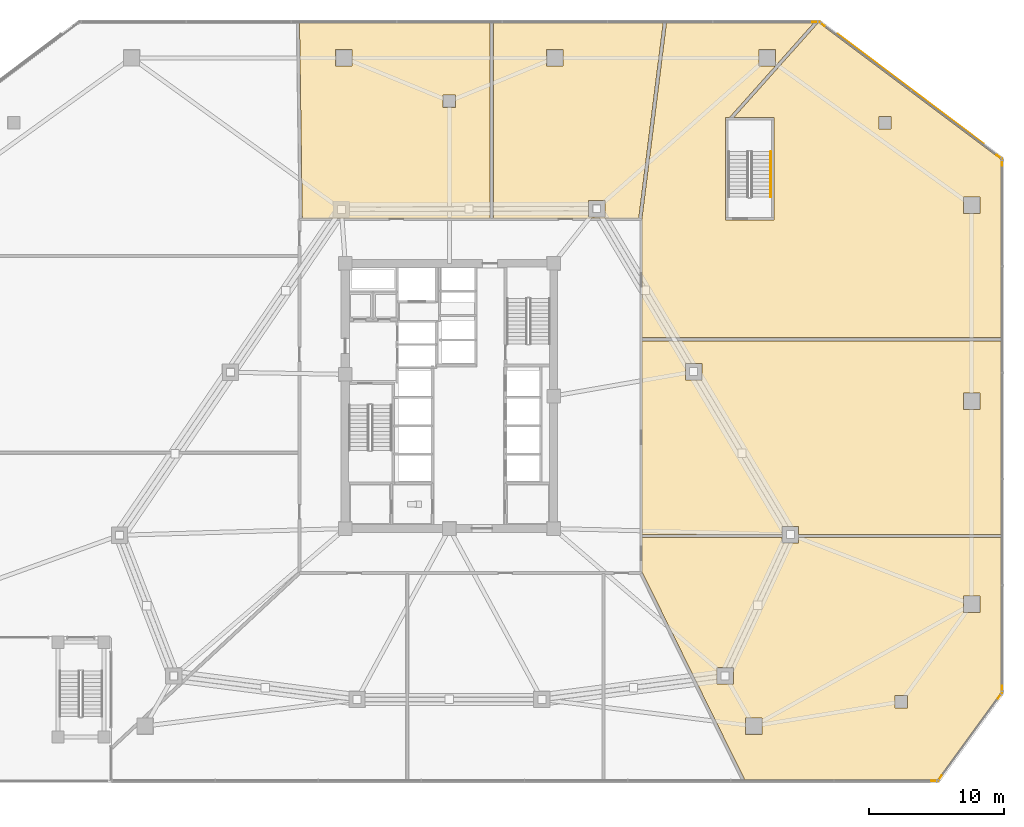
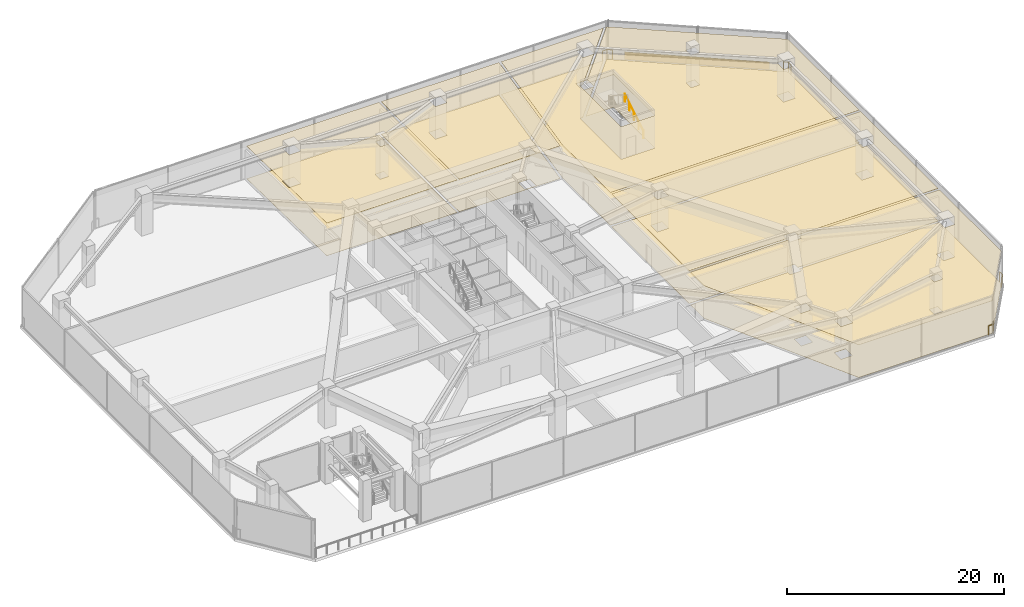
# One storey, part 22 of 23: 11 coverings, 5 railings.
"""IFC4 building model written with IfcOpenShell, lengths in metres."""

from ifc_helpers import new_model, si_unit, direction, frame, origin, origin_2d, place, context, subcontext, project, spatial, polyline, rectangle, circle, outline, extrude, material, layer, layer_set, type_object, element, save


model = new_model("IFC4")

# Units and contexts
model_context = context("Model", 3, precision=1e-05, world=origin(), true_north=direction((0.0, 1.0)))
body_context = subcontext(model_context, "Body", "Model", "MODEL_VIEW")
ifc_project = project(units=[si_unit("LENGTHUNIT", "METRE"), si_unit("AREAUNIT", "SQUARE_METRE"), si_unit("VOLUMEUNIT", "CUBIC_METRE"), si_unit("PLANEANGLEUNIT", "RADIAN"), si_unit("MASSUNIT", "GRAM", prefix="KILO")], contexts=[model_context])

# Site, building, storey
site_placement = place(None, origin())
site = spatial("IfcSite", under=ifc_project, at=site_placement, CompositionType="ELEMENT")
building_placement = place(site_placement, origin())
building = spatial("IfcBuilding", under=site, at=building_placement, Name="Savorim Split Tower", CompositionType="ELEMENT")
storey_placement = place(building_placement, frame((0.0, 0.0, 21.800048828125)))
storey = spatial("IfcBuildingStorey", under=building, at=storey_placement, Name="L05", CompositionType="ELEMENT", Elevation=21.800048828125)

# Coverings
ifc_material_1 = material(Name="Mineral Fibre Acoustic Ceiling")
ifc_layer_1 = layer(ifc_material_1, 0.02490234375)
ifc_layer_set_1 = layer_set([ifc_layer_1], Name="COV-CEIL-25")
covering_type_1 = type_object("IfcCoveringType", Name="COV-CEIL-25", PredefinedType="CEILING", material=ifc_layer_set_1)
covering_1_placement = place(storey_placement, frame((0.0, 0.0, 3.669921875)))
element("IfcCovering", 1, at=covering_1_placement, inside=storey, type_object=covering_type_1, Name="L05 HV Switchgear Plant Room Acoustic Ceiling", PredefinedType="CEILING", context=body_context, shape_type="SweptSolid", body=[
    extrude(outline(polyline([(21.8369140625, -27.97998046875), (36.087890625, -27.97998046875), (40.780029296875, -21.528564453125), (40.780029296875, -10.072998046875), (25.823486328125, -10.072998046875), (25.823486328125, -10.45556640625), (24.603515625, -10.45556640625), (24.603515625, -10.072998046875), (14.239990234375, -10.072998046875), (14.239990234375, -12.60009765625), (14.239990234375, -12.60205078125), (21.785888671875, -27.876708984375), (21.8369140625, -27.97998046875)]), holes=[polyline([(37.989990234375, -14.389892578125), (37.989990234375, -15.610107421875), (39.2099609375, -15.610107421875), (39.2099609375, -14.389892578125), (37.989990234375, -14.389892578125)]), polyline([(21.889892578125, -24.610107421875), (23.110107421875, -24.610107421875), (23.110107421875, -23.389892578125), (21.889892578125, -23.389892578125), (21.889892578125, -24.610107421875)]), polyline([(19.774169921875, -20.90185546875), (20.994140625, -20.90185546875), (20.994140625, -19.681884765625), (19.774169921875, -19.681884765625), (19.774169921875, -20.90185546875)]), polyline([(32.93994140625, -21.739990234375), (32.93994140625, -22.659912109375), (33.860107421875, -22.659912109375), (33.860107421875, -21.739990234375), (32.93994140625, -21.739990234375)])]), origin(), (0.0, 0.0, 1.0), 0.025146484375),
])
covering_2_placement = place(storey_placement, frame((0.0, 0.0, 3.669921875)))
element("IfcCovering", 2, at=covering_2_placement, inside=storey, type_object=covering_type_1, Name="L05 LV Electrical Plant Room Acoustic Ceiling", PredefinedType="CEILING", context=body_context, shape_type="SweptSolid", body=[
    extrude(outline(polyline([(25.823486328125, -9.8330078125), (40.72998046875, -9.8330078125), (40.780029296875, -9.8330078125), (40.780029296875, 4.472900390625), (14.239990234375, 4.472900390625), (14.239990234375, -9.8330078125), (24.603515625, -9.8330078125), (24.603515625, -9.235595703125), (25.823486328125, -9.235595703125), (25.823486328125, -9.8330078125)]), holes=[polyline([(37.989990234375, 0.610107421875), (37.989990234375, -0.610107421875), (39.2099609375, -0.610107421875), (39.2099609375, 0.610107421875), (37.989990234375, 0.610107421875)]), polyline([(18.659423828125, 2.8125), (17.439453125, 2.8125), (17.439453125, 1.592529296875), (18.659423828125, 1.592529296875), (18.659423828125, 2.8125)])]), origin(), (0.0, 0.0, 1.0), 0.025146484375),
])
covering_3_placement = place(storey_placement, frame((0.0, 0.0, 3.669921875)))
element("IfcCovering", 3, at=covering_3_placement, inside=storey, type_object=covering_type_1, Name="L05 Chiller Plant Room 2 Acoustic Ceiling", PredefinedType="CEILING", context=body_context, shape_type="SweptSolid", body=[
    extrude(outline(polyline([(24.110107421875, 26.010009765625), (24.110107421875, 24.814208984375), (26.93310546875, 27.97998046875), (16.04345703125, 27.97998046875), (14.23291015625, 13.524169921875), (14.22509765625, 13.462646484375), (14.229248046875, 13.45361328125), (14.23388671875, 13.440673828125), (14.2373046875, 13.42724609375), (14.2392578125, 13.413818359375), (14.239990234375, 13.39990234375), (14.239990234375, 4.712890625), (40.72998046875, 4.712890625), (40.780029296875, 4.712890625), (40.780029296875, 17.889892578125), (27.32666015625, 27.97998046875), (27.17333984375, 27.97998046875), (27.218505859375, 27.939697265625), (21.0302734375, 21.0), (24.0, 21.0), (24.0, 13.39990234375), (20.39990234375, 13.39990234375), (20.39990234375, 21.0), (20.708740234375, 21.0), (24.08837890625, 24.7900390625), (22.889892578125, 24.7900390625), (22.889892578125, 26.010009765625), (24.110107421875, 26.010009765625)]), holes=[polyline([(37.989990234375, 13.889892578125), (39.2099609375, 13.889892578125), (39.2099609375, 15.110107421875), (37.989990234375, 15.110107421875), (37.989990234375, 13.889892578125)]), polyline([(31.739990234375, 20.139892578125), (32.659912109375, 20.139892578125), (32.659912109375, 21.06005859375), (31.739990234375, 21.06005859375), (31.739990234375, 20.139892578125)])]), origin(), (0.0, 0.0, 1.0), 0.025146484375),
])
covering_4_placement = place(storey_placement, frame((0.0, 0.0, 3.669921875)))
element("IfcCovering", 4, at=covering_4_placement, inside=storey, type_object=covering_type_1, Name="L05 AHU Mechanical Plant Room 2 Acoustic Ceiling", PredefinedType="CEILING", context=body_context, shape_type="SweptSolid", body=[
    extrude(outline(polyline([(13.992919921875, 13.5400390625), (15.797119140625, 27.94482421875), (15.801513671875, 27.97998046875), (3.24755859375, 27.97998046875), (3.24755859375, 13.5400390625), (13.992919921875, 13.5400390625)]), holes=[polyline([(7.18994140625, 24.7900390625), (8.409912109375, 24.7900390625), (8.409912109375, 26.010009765625), (7.18994140625, 26.010009765625), (7.18994140625, 24.7900390625)]), polyline([(10.275390625, 14.860595703125), (10.275390625, 13.640380859375), (11.49560546875, 13.640380859375), (11.49560546875, 14.860595703125), (10.275390625, 14.860595703125)])]), origin(), (0.0, 0.0, 1.0), 0.025146484375),
])
covering_5_placement = place(storey_placement, frame((0.0, 0.0, 3.669921875)))
element("IfcCovering", 5, at=covering_5_placement, inside=storey, type_object=covering_type_1, Name="L05 Sprinkler Pump Plant Room Acoustic Ceiling", PredefinedType="CEILING", context=body_context, shape_type="SweptSolid", body=[
    extrude(outline(polyline([(3.007568359375, 13.5400390625), (3.007568359375, 27.929931640625), (3.007568359375, 27.97998046875), (-11.084228515625, 27.97998046875), (-10.8798828125, 13.541748046875), (-10.8798828125, 13.5400390625), (3.007568359375, 13.5400390625)]), holes=[polyline([(-7.18994140625, 24.7900390625), (-7.18994140625, 26.010009765625), (-8.409912109375, 26.010009765625), (-8.409912109375, 24.7900390625), (-7.18994140625, 24.7900390625)]), polyline([(-0.4599609375, 22.659912109375), (-0.4599609375, 21.739990234375), (0.4599609375, 21.739990234375), (0.4599609375, 22.659912109375), (-0.4599609375, 22.659912109375)])]), origin(), (0.0, 0.0, 1.0), 0.025146484375),
])
ifc_material_2 = material(Name="Terracotta Ceramic-Coated Aluminium Fin", Category="masonry")
ifc_layer_2 = layer(ifc_material_2, 0.050048828125)
ifc_layer_set_2 = layer_set([ifc_layer_2], Name="COV-CLAD-TERRA")
covering_type_2 = type_object("IfcCoveringType", Name="COV-CLAD-TERRA", PredefinedType="CLADDING", material=ifc_layer_set_2)
covering_6_placement = place(storey_placement, frame((34.10009765625, 23.10009765625, 0.02490234375), z_axis=(0.0, 0.0, 1.0), x_axis=(-0.798635510047, 0.601815023152, 0.0)))
element("IfcCovering", 6, at=covering_6_placement, inside=storey, type_object=covering_type_2, Name="L05 NE Podium Spandrel Cladding", PredefinedType="CLADDING", context=body_context, shape_type="SweptSolid", body=[
    extrude(rectangle(XDim=13.5, YDim=0.050048828125, at=origin_2d()), origin(), (0.0, 0.0, 1.0), 0.85009765625),
])
ifc_material_3 = material(Name="Porcelain Stoneware Flooring", Category="masonry")
ifc_layer_3 = layer(ifc_material_3, 0.02001953125)
ifc_layer_set_3 = layer_set([ifc_layer_3], Name="COV-FLOR-20")
covering_type_3 = type_object("IfcCoveringType", Name="COV-FLOR-20", PredefinedType="FLOORING", material=ifc_layer_set_3)
covering_7_placement = place(storey_placement, origin())
element("IfcCovering", 7, at=covering_7_placement, inside=storey, type_object=covering_type_3, Name="L05 HV Switchgear Plant Room Porcelain Flooring", PredefinedType="FLOORING", context=body_context, shape_type="SweptSolid", body=[
    extrude(outline(polyline([(21.8369140625, -27.97998046875), (36.087890625, -27.97998046875), (40.780029296875, -21.528564453125), (40.780029296875, -10.072998046875), (25.823486328125, -10.072998046875), (25.823486328125, -10.45556640625), (24.603515625, -10.45556640625), (24.603515625, -10.072998046875), (14.239990234375, -10.072998046875), (14.239990234375, -12.60009765625), (14.239990234375, -12.60205078125), (21.785888671875, -27.876708984375), (21.8369140625, -27.97998046875)]), holes=[polyline([(37.989990234375, -14.389892578125), (37.989990234375, -15.610107421875), (39.2099609375, -15.610107421875), (39.2099609375, -14.389892578125), (37.989990234375, -14.389892578125)]), polyline([(21.889892578125, -24.610107421875), (23.110107421875, -24.610107421875), (23.110107421875, -23.389892578125), (21.889892578125, -23.389892578125), (21.889892578125, -24.610107421875)]), polyline([(19.774169921875, -20.90185546875), (20.994140625, -20.90185546875), (20.994140625, -19.681884765625), (19.774169921875, -19.681884765625), (19.774169921875, -20.90185546875)]), polyline([(32.93994140625, -21.739990234375), (32.93994140625, -22.659912109375), (33.860107421875, -22.659912109375), (33.860107421875, -21.739990234375), (32.93994140625, -21.739990234375)])]), origin(), (0.0, 0.0, 1.0), 0.02001953125),
])
covering_8_placement = place(storey_placement, origin())
element("IfcCovering", 8, at=covering_8_placement, inside=storey, type_object=covering_type_3, Name="L05 LV Electrical Plant Room Porcelain Flooring", PredefinedType="FLOORING", context=body_context, shape_type="SweptSolid", body=[
    extrude(outline(polyline([(25.823486328125, -9.8330078125), (40.72998046875, -9.8330078125), (40.780029296875, -9.8330078125), (40.780029296875, 4.472900390625), (14.239990234375, 4.472900390625), (14.239990234375, -9.8330078125), (24.603515625, -9.8330078125), (24.603515625, -9.235595703125), (25.823486328125, -9.235595703125), (25.823486328125, -9.8330078125)]), holes=[polyline([(37.989990234375, 0.610107421875), (37.989990234375, -0.610107421875), (39.2099609375, -0.610107421875), (39.2099609375, 0.610107421875), (37.989990234375, 0.610107421875)]), polyline([(18.659423828125, 2.8125), (17.439453125, 2.8125), (17.439453125, 1.592529296875), (18.659423828125, 1.592529296875), (18.659423828125, 2.8125)])]), origin(), (0.0, 0.0, 1.0), 0.02001953125),
])
covering_9_placement = place(storey_placement, origin())
element("IfcCovering", 9, at=covering_9_placement, inside=storey, type_object=covering_type_3, Name="L05 Chiller Plant Room 2 Porcelain Flooring", PredefinedType="FLOORING", context=body_context, shape_type="SweptSolid", body=[
    extrude(outline(polyline([(24.110107421875, 26.010009765625), (24.110107421875, 24.814208984375), (26.93310546875, 27.97998046875), (16.04345703125, 27.97998046875), (14.23291015625, 13.524169921875), (14.22509765625, 13.462646484375), (14.229248046875, 13.45361328125), (14.23388671875, 13.440673828125), (14.2373046875, 13.42724609375), (14.2392578125, 13.413818359375), (14.239990234375, 13.39990234375), (14.239990234375, 4.712890625), (40.72998046875, 4.712890625), (40.780029296875, 4.712890625), (40.780029296875, 17.889892578125), (27.32666015625, 27.97998046875), (27.17333984375, 27.97998046875), (27.218505859375, 27.939697265625), (21.0302734375, 21.0), (24.0, 21.0), (24.0, 13.39990234375), (20.39990234375, 13.39990234375), (20.39990234375, 21.0), (20.708740234375, 21.0), (24.08837890625, 24.7900390625), (22.889892578125, 24.7900390625), (22.889892578125, 26.010009765625), (24.110107421875, 26.010009765625)]), holes=[polyline([(37.989990234375, 13.889892578125), (39.2099609375, 13.889892578125), (39.2099609375, 15.110107421875), (37.989990234375, 15.110107421875), (37.989990234375, 13.889892578125)]), polyline([(31.739990234375, 20.139892578125), (32.659912109375, 20.139892578125), (32.659912109375, 21.06005859375), (31.739990234375, 21.06005859375), (31.739990234375, 20.139892578125)])]), origin(), (0.0, 0.0, 1.0), 0.02001953125),
])
covering_10_placement = place(storey_placement, origin())
element("IfcCovering", 10, at=covering_10_placement, inside=storey, type_object=covering_type_3, Name="L05 AHU Mechanical Plant Room 2 Porcelain Flooring", PredefinedType="FLOORING", context=body_context, shape_type="SweptSolid", body=[
    extrude(outline(polyline([(13.992919921875, 13.5400390625), (15.797119140625, 27.94482421875), (15.801513671875, 27.97998046875), (3.24755859375, 27.97998046875), (3.24755859375, 13.5400390625), (13.992919921875, 13.5400390625)]), holes=[polyline([(7.18994140625, 24.7900390625), (8.409912109375, 24.7900390625), (8.409912109375, 26.010009765625), (7.18994140625, 26.010009765625), (7.18994140625, 24.7900390625)]), polyline([(10.275390625, 14.860595703125), (10.275390625, 13.640380859375), (11.49560546875, 13.640380859375), (11.49560546875, 14.860595703125), (10.275390625, 14.860595703125)])]), origin(), (0.0, 0.0, 1.0), 0.02001953125),
])
covering_11_placement = place(storey_placement, origin())
element("IfcCovering", 11, at=covering_11_placement, inside=storey, type_object=covering_type_3, Name="L05 Sprinkler Pump Plant Room Porcelain Flooring", PredefinedType="FLOORING", context=body_context, shape_type="SweptSolid", body=[
    extrude(outline(polyline([(3.007568359375, 13.5400390625), (3.007568359375, 27.929931640625), (3.007568359375, 27.97998046875), (-11.084228515625, 27.97998046875), (-10.8798828125, 13.541748046875), (-10.8798828125, 13.5400390625), (3.007568359375, 13.5400390625)]), holes=[polyline([(-7.18994140625, 24.7900390625), (-7.18994140625, 26.010009765625), (-8.409912109375, 26.010009765625), (-8.409912109375, 24.7900390625), (-7.18994140625, 24.7900390625)]), polyline([(-0.4599609375, 22.659912109375), (-0.4599609375, 21.739990234375), (0.4599609375, 21.739990234375), (0.4599609375, 22.659912109375), (-0.4599609375, 22.659912109375)])]), origin(), (0.0, 0.0, 1.0), 0.02001953125),
])

# Railings
ifc_material_4 = material(Name="Galvanised Painted Steel Balustrade", Category="steel")
railing_type_1 = type_object("IfcRailingType", Name="RLG-BAL-1100", PredefinedType="BALUSTRADE", material=ifc_material_4)
railing_1_placement = place(storey_placement, frame((35.64990234375, -28.0400390625, 0.0)))
element("IfcRailing", 12, at=railing_1_placement, inside=storey, type_object=railing_type_1, Name="L05 Podium Perimeter Corner Guard 4", PredefinedType="BALUSTRADE", context=body_context, shape_type="SweptSolid", body=[
    extrude(circle(Radius=0.02392578125, at=origin_2d()), frame((0.0, 0.0, 1.076171875), z_axis=(0.999377107443, -0.035290184449, 0.0), x_axis=(0.035290184449, 0.999377107443, 0.0)), (0.0, 0.0, 1.0), 0.477294921875),
    extrude(circle(Radius=0.02392578125, at=origin_2d()), frame((0.47705078125, -0.016845703125, 1.076171875), z_axis=(0.559411377899, 0.828890167801, 0.0), x_axis=(-0.828890167801, 0.559411377899, 0.0)), (0.0, 0.0, 1.0), 0.4775390625),
    extrude(circle(Radius=0.02099609375, at=origin_2d()), origin(), (0.0, 0.0, 1.0), 1.052001953125),
    extrude(circle(Radius=0.02099609375, at=origin_2d()), frame((0.47705078125, -0.016845703125, 0.0)), (0.0, 0.0, 1.0), 1.052001953125),
    extrude(circle(Radius=0.02099609375, at=origin_2d()), frame((0.744140625, 0.37890625, 0.0)), (0.0, 0.0, 1.0), 1.052001953125),
])
railing_2_placement = place(storey_placement, frame((40.547119140625, -21.95068359375, 0.0)))
element("IfcRailing", 13, at=railing_2_placement, inside=storey, type_object=railing_type_1, Name="L05 Podium Perimeter Corner Guard 5", PredefinedType="BALUSTRADE", context=body_context, shape_type="SweptSolid", body=[
    extrude(circle(Radius=0.02392578125, at=origin_2d()), frame((0.0, 0.0, 1.076171875), z_axis=(0.593799523751, 0.804613028476, 0.0), x_axis=(-0.804613028476, 0.593799523751, 0.0)), (0.0, 0.0, 1.0), 0.4990234375),
    extrude(circle(Radius=0.02392578125, at=origin_2d()), frame((0.29638671875, 0.401611328125, 1.076171875), z_axis=(-0.006849154413, 0.999976544267, 0.0), x_axis=(-0.999976544267, -0.006849154413, 0.0)), (0.0, 0.0, 1.0), 0.4990234375),
    extrude(circle(Radius=0.02099609375, at=origin_2d()), origin(), (0.0, 0.0, 1.0), 1.052001953125),
    extrude(circle(Radius=0.02099609375, at=origin_2d()), frame((0.29638671875, 0.401611328125, 0.0)), (0.0, 0.0, 1.0), 1.052001953125),
    extrude(circle(Radius=0.02099609375, at=origin_2d()), frame((0.29296875, 0.900634765625, 0.0)), (0.0, 0.0, 1.0), 1.052001953125),
])
railing_3_placement = place(storey_placement, frame((40.840087890625, 17.449951171875, 0.0)))
element("IfcRailing", 14, at=railing_3_placement, inside=storey, type_object=railing_type_1, Name="L05 Podium Perimeter Corner Guard 6", PredefinedType="BALUSTRADE", context=body_context, shape_type="SweptSolid", body=[
    extrude(circle(Radius=0.02392578125, at=origin_2d()), frame((0.0, 0.0, 1.076171875), z_axis=(0.033178862589, 0.999449429975, 0.0), x_axis=(-0.999449429975, 0.033178862589, 0.0)), (0.0, 0.0, 1.0), 0.478271484375),
    extrude(circle(Radius=0.02392578125, at=origin_2d()), frame((0.015869140625, 0.47802734375, 1.076171875), z_axis=(-0.819591612533, 0.572948155303, 0.0), x_axis=(-0.572948155303, -0.819591612533, 0.0)), (0.0, 0.0, 1.0), 0.47802734375),
    extrude(circle(Radius=0.02099609375, at=origin_2d()), origin(), (0.0, 0.0, 1.0), 1.052001953125),
    extrude(circle(Radius=0.02099609375, at=origin_2d()), frame((0.015869140625, 0.47802734375, 0.0)), (0.0, 0.0, 1.0), 1.052001953125),
    extrude(circle(Radius=0.02099609375, at=origin_2d()), frame((-0.3759765625, 0.751953125, 0.0)), (0.0, 0.0, 1.0), 1.052001953125),
])
railing_4_placement = place(storey_placement, frame((27.743896484375, 27.741943359375, 0.0)))
element("IfcRailing", 15, at=railing_4_placement, inside=storey, type_object=railing_type_1, Name="L05 Podium Perimeter Corner Guard 7", PredefinedType="BALUSTRADE", context=body_context, shape_type="SweptSolid", body=[
    extrude(circle(Radius=0.02392578125, at=origin_2d()), frame((0.0, 0.0, 1.076171875), z_axis=(-0.795150298143, 0.606412403701, 0.0), x_axis=(-0.606412403701, -0.795150298143, 0.0)), (0.0, 0.0, 1.0), 0.498046875),
    extrude(circle(Radius=0.02392578125, at=origin_2d()), frame((-0.39599609375, 0.302001953125, 1.076171875), z_axis=(-0.999969213844, -0.007846742237, 0.0), x_axis=(0.007846742237, -0.999969213844, 0.0)), (0.0, 0.0, 1.0), 0.497802734375),
    extrude(circle(Radius=0.02099609375, at=origin_2d()), origin(), (0.0, 0.0, 1.0), 1.052001953125),
    extrude(circle(Radius=0.02099609375, at=origin_2d()), frame((-0.39599609375, 0.302001953125, 0.0)), (0.0, 0.0, 1.0), 1.052001953125),
    extrude(circle(Radius=0.02099609375, at=origin_2d()), frame((-0.893798828125, 0.298095703125, 0.0)), (0.0, 0.0, 1.0), 1.052001953125),
])
railing_type_2 = type_object("IfcRailingType", Name="RLG-HR-900", PredefinedType="HANDRAIL", material=ifc_material_4)
railing_5_placement = place(storey_placement, frame((23.75, 15.10009765625, 0.1767578125)))
element("IfcRailing", 16, at=railing_5_placement, inside=storey, type_object=railing_type_2, Name="L05 ST-3 stair handrail 1", PredefinedType="HANDRAIL", context=body_context, shape_type="SweptSolid", body=[
    extrude(circle(Radius=0.02392578125, at=origin_2d()), frame((0.0, 0.0, 0.8759765625), z_axis=(0.0, 0.845344368971, 0.534221768416), x_axis=(-1.0, 0.0, 0.0)), (0.0, 0.0, 1.0), 3.974609375),
    extrude(circle(Radius=0.02099609375, at=origin_2d()), origin(), (0.0, 0.0, 1.0), 0.851806640625),
    extrude(circle(Radius=0.02099609375, at=origin_2d()), frame((0.0, 0.83984375, 0.53076171875)), (0.0, 0.0, 1.0), 0.851806640625),
    extrude(circle(Radius=0.02099609375, at=origin_2d()), frame((0.0, 1.679931640625, 1.0615234375)), (0.0, 0.0, 1.0), 0.851806640625),
    extrude(circle(Radius=0.02099609375, at=origin_2d()), frame((0.0, 2.52001953125, 1.592529296875)), (0.0, 0.0, 1.0), 0.851806640625),
    extrude(circle(Radius=0.02099609375, at=origin_2d()), frame((0.0, 3.35986328125, 2.123291015625)), (0.0, 0.0, 1.0), 0.851806640625),
])

save(model, "model.ifc")
